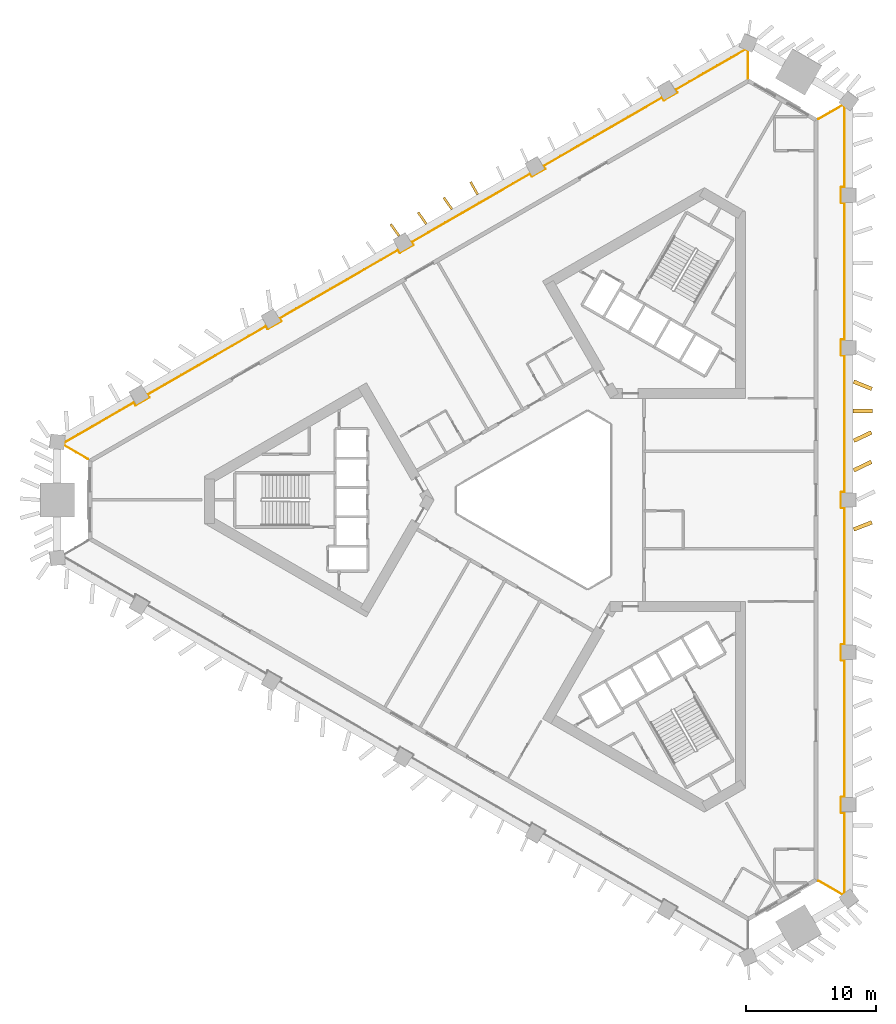
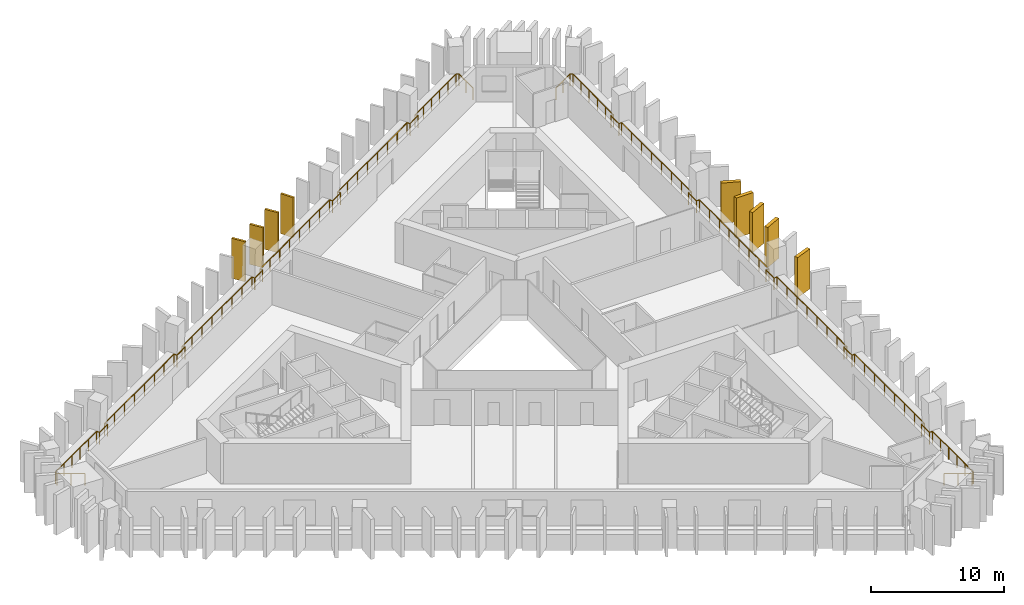
# One storey, part 10 of 11: 9 shading devices, 2 railings.
"""IFC4 building model written with IfcOpenShell, lengths in metres."""

import ifcopenshell
import ifcopenshell.guid

model = None  # the IFC model being written
_history = None  # IfcOwnerHistory: only IFC2X3 demands one
_inside = {}  # id of a spatial element -> (the spatial element, [elements in it])
_under = {}  # id of a project, library or spatial element -> (it, [spatial elements below it])
_declared = {}  # id of a project -> (the project, [libraries it declares])
_typed = {}  # id of a type object -> (the type object, [elements of that type])
_made_of = {}  # id of a material, layer set ... -> (it, [elements and type objects made of it])


def new_model(schema):
    """Start an empty IFC model of exactly this schema.

    Asked for "IFC4X3", IfcOpenShell would pick the latest addendum, in which some entities
    have other attributes; the version numbers below select the first issue.
    IFC2X3 requires an IfcOwnerHistory on every rooted entity: one is made here for all.
    """
    global model, _history
    if schema == "IFC4X3":
        model = ifcopenshell.file(schema_version=(4, 3, 0, 0))
    else:
        model = ifcopenshell.file(schema=schema)
    _inside.clear()
    _under.clear()
    _declared.clear()
    _typed.clear()
    _made_of.clear()
    _history = None
    if model.schema == "IFC2X3":
        org = make("IfcOrganization", Name="unknown")
        user = make(
            "IfcPersonAndOrganization",
            ThePerson=make("IfcPerson", FamilyName="unknown"),
            TheOrganization=org,
        )
        app = make(
            "IfcApplication",
            ApplicationDeveloper=org,
            Version="unknown",
            ApplicationFullName="unknown",
            ApplicationIdentifier="unknown",
        )
        _history = make(
            "IfcOwnerHistory",
            OwningUser=user,
            OwningApplication=app,
            ChangeAction="ADDED",
            CreationDate=0,
        )
    return model


def make(cls, **values):
    """One entity of the class cls with the attributes given. An attribute that is None is left unset."""
    return model.create_entity(
        cls, **{name: value for name, value in values.items() if value is not None}
    )


def rooted(cls, **values):
    """An entity with a GlobalId (a new one), such as an element, a storey or a relation."""
    return make(cls, GlobalId=ifcopenshell.guid.new(), OwnerHistory=_history, **values)


def si_unit(unit_type, name, prefix=None):
    """IfcSIUnit, for example si_unit("LENGTHUNIT", "METRE", prefix="MILLI")."""
    return make("IfcSIUnit", UnitType=unit_type, Prefix=prefix, Name=name)


def assignment(units):
    """IfcUnitAssignment: the units of a project."""
    return None if units is None else make("IfcUnitAssignment", Units=units)


def point(xyz):
    """IfcCartesianPoint."""
    return None if xyz is None else make("IfcCartesianPoint", Coordinates=xyz)


def direction(xyz):
    """IfcDirection."""
    return None if xyz is None else make("IfcDirection", DirectionRatios=xyz)


def frame(location, z_axis=None, x_axis=None):
    """IfcAxis2Placement3D, a coordinate frame: its origin and axes. An axis left out is left unset."""
    return make(
        "IfcAxis2Placement3D",
        Location=point(location),
        Axis=direction(z_axis),
        RefDirection=direction(x_axis),
    )


def frame_2d(location, x_axis=None):
    """IfcAxis2Placement2D, a coordinate frame in the plane: its origin and x axis."""
    return make(
        "IfcAxis2Placement2D", Location=point(location), RefDirection=direction(x_axis)
    )


def origin():
    """The frame at (0, 0, 0) with its axes left unset."""
    return frame((0.0, 0.0, 0.0))


def origin_2d():
    """The frame at (0, 0) in the plane with its x axis left unset."""
    return frame_2d((0.0, 0.0))


def place(relative_to, where):
    """IfcLocalPlacement: puts the frame where relative to a parent placement (None: the world)."""
    return make(
        "IfcLocalPlacement", PlacementRelTo=relative_to, RelativePlacement=where
    )


def context(
    kind, dimensions, precision=None, world=None, true_north=None, identifier=None
):
    """IfcGeometricRepresentationContext, for example the 3D "Model" context."""
    return make(
        "IfcGeometricRepresentationContext",
        ContextIdentifier=identifier,
        ContextType=kind,
        CoordinateSpaceDimension=dimensions,
        Precision=precision,
        WorldCoordinateSystem=world,
        TrueNorth=true_north,
    )


def subcontext(parent, identifier, kind, view, scale=None):
    """IfcGeometricRepresentationSubContext, for example "Body" below "Model"."""
    return make(
        "IfcGeometricRepresentationSubContext",
        ContextIdentifier=identifier,
        ContextType=kind,
        ParentContext=parent,
        TargetScale=scale,
        TargetView=view,
    )


def project(units=None, contexts=None):
    """IfcProject with its units and contexts."""
    return rooted(
        "IfcProject",
        Name="project",
        RepresentationContexts=contexts,
        UnitsInContext=assignment(units),
    )


def spatial(cls, under=None, at=None, **own):
    """A site, building, storey or space (cls), placed at a placement, below another one or the project."""
    s = rooted(cls, ObjectPlacement=at, **own)
    if under is not None:
        _under.setdefault(under.id(), (under, []))[1].append(s)
    return s


def profile(cls, at=None, kind="AREA", **sizes):
    """A parametric profile (cls). Its sizes go by their IFC names, for example OverallWidth=200.0."""
    return make(cls, ProfileType=kind, Position=at, **sizes)


def rectangle(**sizes):
    """IfcRectangleProfileDef."""
    return profile("IfcRectangleProfileDef", **sizes)


def circle(**sizes):
    """IfcCircleProfileDef."""
    return profile("IfcCircleProfileDef", **sizes)


def extrude(swept, where, along, depth):
    """IfcExtrudedAreaSolid: the profile swept, set in the frame where, extruded along a direction by depth."""
    return make(
        "IfcExtrudedAreaSolid",
        SweptArea=swept,
        Position=where,
        ExtrudedDirection=direction(along),
        Depth=depth,
    )


def shape(context_of_items, identifier, shape_type, items):
    """IfcShapeRepresentation: the items that make up one representation, for example the "Body"."""
    return make(
        "IfcShapeRepresentation",
        ContextOfItems=context_of_items,
        RepresentationIdentifier=identifier,
        RepresentationType=shape_type,
        Items=items,
    )


def material(Name=None, Category=None):
    """IfcMaterial."""
    return make("IfcMaterial", Name=Name, Category=Category)


def layer(
    of_material, thickness, ventilated=None, Name=None, Category=None, Priority=None
):
    """IfcMaterialLayer: one layer of a wall or slab, of a material (None: an air gap)."""
    return make(
        "IfcMaterialLayer",
        Material=of_material,
        LayerThickness=thickness,
        IsVentilated=ventilated,
        Name=Name,
        Category=Category,
        Priority=Priority,
    )


def layer_set(layers, Name=None):
    """IfcMaterialLayerSet."""
    return make("IfcMaterialLayerSet", MaterialLayers=layers, LayerSetName=Name)


def made_of(thing, what):
    """Note that an element or type object is made of a material, layer set ...; save() writes the relation."""
    if what is not None:
        _made_of.setdefault(what.id(), (what, []))[1].append(thing)
    return thing


def type_object(cls, material=None, **own):
    """A type object (cls), such as IfcWallType, which elements share."""
    return made_of(rooted(cls, **own), material)


def element(
    cls,
    number,
    at=None,
    inside=None,
    cuts=None,
    type_object=None,
    material=None,
    context=None,
    identifier="Body",
    shape_type=None,
    held_by="IfcProductDefinitionShape",
    body=None,
    shapes=None,
    **own,
):
    """One element of the class cls, such as IfcWall. Its Tag is "e" and its number.

    at: its placement. inside: the storey or other place that contains it. cuts: it is an
    opening in that element (IfcRelVoidsElement). A single representation is given by context,
    identifier, shape_type and body (its items); several are given by shapes. held_by: the class
    of the entity that holds the representations. save() writes the other relations.
    """
    e = rooted(cls, Tag="e%d" % number, ObjectPlacement=at, **own)
    if body is not None:
        shapes = [shape(context, identifier, shape_type, body)]
    if shapes is not None:
        e.Representation = make(held_by, Representations=shapes)
    if inside is not None:
        _inside.setdefault(inside.id(), (inside, []))[1].append(e)
    if cuts is not None:
        rooted(
            "IfcRelVoidsElement", RelatingBuildingElement=cuts, RelatedOpeningElement=e
        )
    if type_object is not None:
        _typed.setdefault(type_object.id(), (type_object, []))[1].append(e)
    return made_of(e, material)


def aggregate(whole, parts):
    """IfcRelAggregates: a whole, such as a stair, and the parts it consists of."""
    return rooted("IfcRelAggregates", RelatingObject=whole, RelatedObjects=parts)


def save(model, path):
    """Write the relations noted so far, then the file.

    IfcRelAggregates (storeys below a building ...), IfcRelContainedInSpatialStructure (elements
    in a storey), IfcRelDefinesByType, IfcRelAssociatesMaterial and IfcRelDeclares: one each for
    every whole, place, type object, material and project.
    """
    for whole, parts in _under.values():
        aggregate(whole, parts)
    for where, things in _inside.values():
        rooted(
            "IfcRelContainedInSpatialStructure",
            RelatedElements=things,
            RelatingStructure=where,
        )
    for kind, things in _typed.values():
        rooted("IfcRelDefinesByType", RelatedObjects=things, RelatingType=kind)
    for what, things in _made_of.values():
        rooted("IfcRelAssociatesMaterial", RelatedObjects=things, RelatingMaterial=what)
    for by, libraries in _declared.values():
        rooted("IfcRelDeclares", RelatingContext=by, RelatedDefinitions=libraries)
    model.write(path)


model = new_model("IFC4")

# Units and contexts
model_context = context("Model", 3, precision=1e-05, world=origin(), true_north=direction((0.0, 1.0)))
body_context = subcontext(model_context, "Body", "Model", "MODEL_VIEW")
ifc_project = project(units=[si_unit("LENGTHUNIT", "METRE"), si_unit("AREAUNIT", "SQUARE_METRE"), si_unit("VOLUMEUNIT", "CUBIC_METRE"), si_unit("PLANEANGLEUNIT", "RADIAN"), si_unit("MASSUNIT", "GRAM", prefix="KILO")], contexts=[model_context])

# Site, building, storey
site_placement = place(None, origin())
site = spatial("IfcSite", under=ifc_project, at=site_placement, CompositionType="ELEMENT")
building_placement = place(site_placement, origin())
building = spatial("IfcBuilding", under=site, at=building_placement, Name="Jabali Bay Hotel Tower and Convention Centre", CompositionType="ELEMENT")
storey_placement = place(building_placement, frame((0.0, 0.0, 90.60009765625)))
storey = spatial("IfcBuildingStorey", under=building, at=storey_placement, Name="L21", CompositionType="ELEMENT", Elevation=90.60009765625)

# Railings
ifc_material_1 = material(Name="Glass", Category="glass")
railing_type = type_object("IfcRailingType", Name="Loggia glass guard 1100", PredefinedType="BALUSTRADE", material=ifc_material_1)
railing_1_placement = place(storey_placement, frame((95.4765625, 109.21142578125, 0.0)))
element("IfcRailing", 1, at=railing_1_placement, inside=storey, type_object=railing_type, Name="Loggia glass guard L21", PredefinedType="BALUSTRADE", context=body_context, shape_type="SweptSolid", body=[
    extrude(circle(Radius=0.02490234375, at=origin_2d()), frame((0.0, 0.0, 1.0751953125), z_axis=(0.866006443985, 0.500032837899, 0.0), x_axis=(-0.495754987653, 0.858597638805, 0.13052619222)), (0.0, 0.0, 1.0), 2.110595703125),
    extrude(circle(Radius=0.02490234375, at=origin_2d()), frame((1.827880859375, 1.055419921875, 1.0751953125), z_axis=(0.801498175172, -0.597997220057, 0.0), x_axis=(0.592881270942, 0.794641247175, 0.13052619222)), (0.0, 0.0, 1.0), 0.21484375),
    extrude(circle(Radius=0.02490234375, at=origin_2d()), frame((2.0, 0.927001953125, 1.0751953125), z_axis=(0.0, -1.0, 0.0), x_axis=(0.991444861374, 0.0, 0.13052619222)), (0.0, 0.0, 1.0), 6.15087890625),
    extrude(circle(Radius=0.02490234375, at=origin_2d()), frame((2.0, -5.223876953125, 1.0751953125), z_axis=(-1.0, 0.0, 0.0), x_axis=(0.0, -0.991444861374, 0.13052619222)), (0.0, 0.0, 1.0), 0.25),
    extrude(circle(Radius=0.02490234375, at=origin_2d()), frame((1.75, -5.223876953125, 1.0751953125), z_axis=(0.0, -1.0, 0.0), x_axis=(0.991444861374, 0.0, 0.13052619222)), (0.0, 0.0, 1.0), 1.199951171875),
    extrude(circle(Radius=0.02490234375, at=origin_2d()), frame((1.75, -6.423828125, 1.0751953125), z_axis=(1.0, 0.0, 0.0), x_axis=(0.0, 0.991444861374, 0.13052619222)), (0.0, 0.0, 1.0), 0.25),
    extrude(circle(Radius=0.02490234375, at=origin_2d()), frame((2.0, -6.423828125, 1.0751953125), z_axis=(0.0, -1.0, 0.0), x_axis=(0.991444861374, 0.0, 0.13052619222)), (0.0, 0.0, 1.0), 10.493896484375),
    extrude(circle(Radius=0.02490234375, at=origin_2d()), frame((2.0, -16.917724609375, 1.0751953125), z_axis=(-1.0, 0.0, 0.0), x_axis=(0.0, -0.991444861374, 0.13052619222)), (0.0, 0.0, 1.0), 0.25),
    extrude(circle(Radius=0.02490234375, at=origin_2d()), frame((1.75, -16.917724609375, 1.0751953125), z_axis=(0.0, -1.0, 0.0), x_axis=(0.991444861374, 0.0, 0.13052619222)), (0.0, 0.0, 1.0), 1.199951171875),
    extrude(circle(Radius=0.02490234375, at=origin_2d()), frame((1.75, -18.11767578125, 1.0751953125), z_axis=(1.0, 0.0, 0.0), x_axis=(0.0, 0.991444861374, 0.13052619222)), (0.0, 0.0, 1.0), 0.25),
    extrude(circle(Radius=0.02490234375, at=origin_2d()), frame((2.0, -18.11767578125, 1.0751953125), z_axis=(0.0, -1.0, 0.0), x_axis=(0.991444861374, 0.0, 0.13052619222)), (0.0, 0.0, 1.0), 10.49365234375),
    extrude(circle(Radius=0.02490234375, at=origin_2d()), frame((2.0, -28.611328125, 1.0751953125), z_axis=(-1.0, 0.0, 0.0), x_axis=(0.0, -0.991444861374, 0.13052619222)), (0.0, 0.0, 1.0), 0.25),
    extrude(circle(Radius=0.02490234375, at=origin_2d()), frame((1.75, -28.611328125, 1.0751953125), z_axis=(0.0, -1.0, 0.0), x_axis=(0.991444861374, 0.0, 0.13052619222)), (0.0, 0.0, 1.0), 1.2001953125),
    extrude(circle(Radius=0.02490234375, at=origin_2d()), frame((1.75, -29.8115234375, 1.0751953125), z_axis=(1.0, 0.0, 0.0), x_axis=(0.0, 0.991444861374, 0.13052619222)), (0.0, 0.0, 1.0), 0.25),
    extrude(circle(Radius=0.02490234375, at=origin_2d()), frame((2.0, -29.8115234375, 1.0751953125), z_axis=(0.0, -1.0, 0.0), x_axis=(0.991444861374, 0.0, 0.13052619222)), (0.0, 0.0, 1.0), 10.49365234375),
    extrude(circle(Radius=0.02490234375, at=origin_2d()), frame((2.0, -40.30517578125, 1.0751953125), z_axis=(-1.0, 0.0, 0.0), x_axis=(0.0, -0.991444861374, 0.13052619222)), (0.0, 0.0, 1.0), 0.25),
    extrude(circle(Radius=0.02490234375, at=origin_2d()), frame((1.75, -40.30517578125, 1.0751953125), z_axis=(0.0, -1.0, 0.0), x_axis=(0.991444861374, 0.0, 0.13052619222)), (0.0, 0.0, 1.0), 1.199951171875),
    extrude(circle(Radius=0.02490234375, at=origin_2d()), frame((1.75, -41.505126953125, 1.0751953125), z_axis=(1.0, 0.0, 0.0), x_axis=(0.0, 0.991444861374, 0.13052619222)), (0.0, 0.0, 1.0), 0.25),
    extrude(circle(Radius=0.02490234375, at=origin_2d()), frame((2.0, -41.505126953125, 1.0751953125), z_axis=(0.0, -1.0, 0.0), x_axis=(0.991444861374, 0.0, 0.13052619222)), (0.0, 0.0, 1.0), 10.493896484375),
    extrude(circle(Radius=0.02490234375, at=origin_2d()), frame((2.0, -51.9990234375, 1.0751953125), z_axis=(-1.0, 0.0, 0.0), x_axis=(0.0, -0.991444861374, 0.13052619222)), (0.0, 0.0, 1.0), 0.25),
    extrude(circle(Radius=0.02490234375, at=origin_2d()), frame((1.75, -51.9990234375, 1.0751953125), z_axis=(0.0, -1.0, 0.0), x_axis=(0.991444861374, 0.0, 0.13052619222)), (0.0, 0.0, 1.0), 1.199951171875),
    extrude(circle(Radius=0.02490234375, at=origin_2d()), frame((1.75, -53.198974609375, 1.0751953125), z_axis=(1.0, 0.0, 0.0), x_axis=(0.0, 0.991444861374, 0.13052619222)), (0.0, 0.0, 1.0), 0.25),
    extrude(circle(Radius=0.02490234375, at=origin_2d()), frame((2.0, -53.198974609375, 1.0751953125), z_axis=(0.0, -1.0, 0.0), x_axis=(0.991444861374, 0.0, 0.13052619222)), (0.0, 0.0, 1.0), 6.15087890625),
    extrude(circle(Radius=0.02490234375, at=origin_2d()), frame((2.0, -59.349853515625, 1.0751953125), z_axis=(-0.801498175172, -0.597997220057, 0.0), x_axis=(0.592881270942, -0.794641247175, 0.13052619222)), (0.0, 0.0, 1.0), 0.21484375),
    extrude(circle(Radius=0.02490234375, at=origin_2d()), frame((1.827880859375, -59.478271484375, 1.0751953125), z_axis=(-0.866006443985, 0.500032837899, 0.0), x_axis=(-0.495754987653, -0.858597638805, 0.13052619222)), (0.0, 0.0, 1.0), 2.110595703125),
    extrude(circle(Radius=0.02001953125, at=origin_2d()), origin(), (0.0, 0.0, 1.0), 1.050048828125),
    extrude(circle(Radius=0.02001953125, at=origin_2d()), frame((0.9140625, 0.52783203125, 0.0)), (0.0, 0.0, 1.0), 1.050048828125),
    extrude(circle(Radius=0.02001953125, at=origin_2d()), frame((1.827880859375, 1.055419921875, 0.0)), (0.0, 0.0, 1.0), 1.050048828125),
    extrude(circle(Radius=0.02001953125, at=origin_2d()), frame((2.0, 0.927001953125, 0.0)), (0.0, 0.0, 1.0), 1.050048828125),
    extrude(circle(Radius=0.02001953125, at=origin_2d()), frame((2.0, -0.30322265625, 0.0)), (0.0, 0.0, 1.0), 1.050048828125),
    extrude(circle(Radius=0.02001953125, at=origin_2d()), frame((2.0, -1.533447265625, 0.0)), (0.0, 0.0, 1.0), 1.050048828125),
    extrude(circle(Radius=0.02001953125, at=origin_2d()), frame((2.0, -2.763427734375, 0.0)), (0.0, 0.0, 1.0), 1.050048828125),
    extrude(circle(Radius=0.02001953125, at=origin_2d()), frame((2.0, -3.99365234375, 0.0)), (0.0, 0.0, 1.0), 1.050048828125),
    extrude(circle(Radius=0.02001953125, at=origin_2d()), frame((2.0, -5.223876953125, 0.0)), (0.0, 0.0, 1.0), 1.050048828125),
    extrude(circle(Radius=0.02001953125, at=origin_2d()), frame((1.75, -5.223876953125, 0.0)), (0.0, 0.0, 1.0), 1.050048828125),
    extrude(circle(Radius=0.02001953125, at=origin_2d()), frame((1.75, -6.423828125, 0.0)), (0.0, 0.0, 1.0), 1.050048828125),
    extrude(circle(Radius=0.02001953125, at=origin_2d()), frame((2.0, -6.423828125, 0.0)), (0.0, 0.0, 1.0), 1.050048828125),
    extrude(circle(Radius=0.02001953125, at=origin_2d()), frame((2.0, -7.9228515625, 0.0)), (0.0, 0.0, 1.0), 1.050048828125),
    extrude(circle(Radius=0.02001953125, at=origin_2d()), frame((2.0, -9.422119140625, 0.0)), (0.0, 0.0, 1.0), 1.050048828125),
    extrude(circle(Radius=0.02001953125, at=origin_2d()), frame((2.0, -10.921142578125, 0.0)), (0.0, 0.0, 1.0), 1.050048828125),
    extrude(circle(Radius=0.02001953125, at=origin_2d()), frame((2.0, -12.42041015625, 0.0)), (0.0, 0.0, 1.0), 1.050048828125),
    extrude(circle(Radius=0.02001953125, at=origin_2d()), frame((2.0, -13.91943359375, 0.0)), (0.0, 0.0, 1.0), 1.050048828125),
    extrude(circle(Radius=0.02001953125, at=origin_2d()), frame((2.0, -15.418701171875, 0.0)), (0.0, 0.0, 1.0), 1.050048828125),
    extrude(circle(Radius=0.02001953125, at=origin_2d()), frame((2.0, -16.917724609375, 0.0)), (0.0, 0.0, 1.0), 1.050048828125),
    extrude(circle(Radius=0.02001953125, at=origin_2d()), frame((1.75, -16.917724609375, 0.0)), (0.0, 0.0, 1.0), 1.050048828125),
    extrude(circle(Radius=0.02001953125, at=origin_2d()), frame((1.75, -18.11767578125, 0.0)), (0.0, 0.0, 1.0), 1.050048828125),
    extrude(circle(Radius=0.02001953125, at=origin_2d()), frame((2.0, -18.11767578125, 0.0)), (0.0, 0.0, 1.0), 1.050048828125),
    extrude(circle(Radius=0.02001953125, at=origin_2d()), frame((2.0, -19.61669921875, 0.0)), (0.0, 0.0, 1.0), 1.050048828125),
    extrude(circle(Radius=0.02001953125, at=origin_2d()), frame((2.0, -21.115966796875, 0.0)), (0.0, 0.0, 1.0), 1.050048828125),
    extrude(circle(Radius=0.02001953125, at=origin_2d()), frame((2.0, -22.614990234375, 0.0)), (0.0, 0.0, 1.0), 1.050048828125),
    extrude(circle(Radius=0.02001953125, at=origin_2d()), frame((2.0, -24.114013671875, 0.0)), (0.0, 0.0, 1.0), 1.050048828125),
    extrude(circle(Radius=0.02001953125, at=origin_2d()), frame((2.0, -25.613037109375, 0.0)), (0.0, 0.0, 1.0), 1.050048828125),
    extrude(circle(Radius=0.02001953125, at=origin_2d()), frame((2.0, -27.1123046875, 0.0)), (0.0, 0.0, 1.0), 1.050048828125),
    extrude(circle(Radius=0.02001953125, at=origin_2d()), frame((2.0, -28.611328125, 0.0)), (0.0, 0.0, 1.0), 1.050048828125),
    extrude(circle(Radius=0.02001953125, at=origin_2d()), frame((1.75, -28.611328125, 0.0)), (0.0, 0.0, 1.0), 1.050048828125),
    extrude(circle(Radius=0.02001953125, at=origin_2d()), frame((1.75, -29.8115234375, 0.0)), (0.0, 0.0, 1.0), 1.050048828125),
    extrude(circle(Radius=0.02001953125, at=origin_2d()), frame((2.0, -29.8115234375, 0.0)), (0.0, 0.0, 1.0), 1.050048828125),
    extrude(circle(Radius=0.02001953125, at=origin_2d()), frame((2.0, -31.310546875, 0.0)), (0.0, 0.0, 1.0), 1.050048828125),
    extrude(circle(Radius=0.02001953125, at=origin_2d()), frame((2.0, -32.809814453125, 0.0)), (0.0, 0.0, 1.0), 1.050048828125),
    extrude(circle(Radius=0.02001953125, at=origin_2d()), frame((2.0, -34.308837890625, 0.0)), (0.0, 0.0, 1.0), 1.050048828125),
    extrude(circle(Radius=0.02001953125, at=origin_2d()), frame((2.0, -35.807861328125, 0.0)), (0.0, 0.0, 1.0), 1.050048828125),
    extrude(circle(Radius=0.02001953125, at=origin_2d()), frame((2.0, -37.306884765625, 0.0)), (0.0, 0.0, 1.0), 1.050048828125),
    extrude(circle(Radius=0.02001953125, at=origin_2d()), frame((2.0, -38.80615234375, 0.0)), (0.0, 0.0, 1.0), 1.050048828125),
    extrude(circle(Radius=0.02001953125, at=origin_2d()), frame((2.0, -40.30517578125, 0.0)), (0.0, 0.0, 1.0), 1.050048828125),
    extrude(circle(Radius=0.02001953125, at=origin_2d()), frame((1.75, -40.30517578125, 0.0)), (0.0, 0.0, 1.0), 1.050048828125),
    extrude(circle(Radius=0.02001953125, at=origin_2d()), frame((1.75, -41.505126953125, 0.0)), (0.0, 0.0, 1.0), 1.050048828125),
    extrude(circle(Radius=0.02001953125, at=origin_2d()), frame((2.0, -41.505126953125, 0.0)), (0.0, 0.0, 1.0), 1.050048828125),
    extrude(circle(Radius=0.02001953125, at=origin_2d()), frame((2.0, -43.004150390625, 0.0)), (0.0, 0.0, 1.0), 1.050048828125),
    extrude(circle(Radius=0.02001953125, at=origin_2d()), frame((2.0, -44.50341796875, 0.0)), (0.0, 0.0, 1.0), 1.050048828125),
    extrude(circle(Radius=0.02001953125, at=origin_2d()), frame((2.0, -46.00244140625, 0.0)), (0.0, 0.0, 1.0), 1.050048828125),
    extrude(circle(Radius=0.02001953125, at=origin_2d()), frame((2.0, -47.501708984375, 0.0)), (0.0, 0.0, 1.0), 1.050048828125),
    extrude(circle(Radius=0.02001953125, at=origin_2d()), frame((2.0, -49.000732421875, 0.0)), (0.0, 0.0, 1.0), 1.050048828125),
    extrude(circle(Radius=0.02001953125, at=origin_2d()), frame((2.0, -50.5, 0.0)), (0.0, 0.0, 1.0), 1.050048828125),
    extrude(circle(Radius=0.02001953125, at=origin_2d()), frame((2.0, -51.9990234375, 0.0)), (0.0, 0.0, 1.0), 1.050048828125),
    extrude(circle(Radius=0.02001953125, at=origin_2d()), frame((1.75, -51.9990234375, 0.0)), (0.0, 0.0, 1.0), 1.050048828125),
    extrude(circle(Radius=0.02001953125, at=origin_2d()), frame((1.75, -53.198974609375, 0.0)), (0.0, 0.0, 1.0), 1.050048828125),
    extrude(circle(Radius=0.02001953125, at=origin_2d()), frame((2.0, -53.198974609375, 0.0)), (0.0, 0.0, 1.0), 1.050048828125),
    extrude(circle(Radius=0.02001953125, at=origin_2d()), frame((2.0, -54.42919921875, 0.0)), (0.0, 0.0, 1.0), 1.050048828125),
    extrude(circle(Radius=0.02001953125, at=origin_2d()), frame((2.0, -55.659423828125, 0.0)), (0.0, 0.0, 1.0), 1.050048828125),
    extrude(circle(Radius=0.02001953125, at=origin_2d()), frame((2.0, -56.889404296875, 0.0)), (0.0, 0.0, 1.0), 1.050048828125),
    extrude(circle(Radius=0.02001953125, at=origin_2d()), frame((2.0, -58.11962890625, 0.0)), (0.0, 0.0, 1.0), 1.050048828125),
    extrude(circle(Radius=0.02001953125, at=origin_2d()), frame((2.0, -59.349853515625, 0.0)), (0.0, 0.0, 1.0), 1.050048828125),
    extrude(circle(Radius=0.02001953125, at=origin_2d()), frame((1.827880859375, -59.478271484375, 0.0)), (0.0, 0.0, 1.0), 1.050048828125),
    extrude(circle(Radius=0.02001953125, at=origin_2d()), frame((0.9140625, -58.95068359375, 0.0)), (0.0, 0.0, 1.0), 1.050048828125),
    extrude(circle(Radius=0.02001953125, at=origin_2d()), frame((0.0, -58.4228515625, 0.0)), (0.0, 0.0, 1.0), 1.050048828125),
])
railing_2_placement = place(storey_placement, frame((39.4638671875, 83.12744140625, 0.0)))
element("IfcRailing", 2, at=railing_2_placement, inside=storey, type_object=railing_type, Name="Loggia glass guard L21", PredefinedType="BALUSTRADE", context=body_context, shape_type="SweptSolid", body=[
    extrude(circle(Radius=0.02490234375, at=origin_2d()), frame((0.0, 0.0, 1.0751953125), z_axis=(-0.866006443985, 0.500032837899, 0.0), x_axis=(-0.495754987653, -0.858597638805, 0.13052619222)), (0.0, 0.0, 1.0), 2.110595703125),
    extrude(circle(Radius=0.02490234375, at=origin_2d()), frame((-1.827880859375, 1.055419921875, 1.0751953125), z_axis=(0.117171257249, 0.993111724065, 0.0), x_axis=(-0.984615515594, 0.116168840901, 0.13052619222)), (0.0, 0.0, 1.0), 0.214599609375),
    extrude(circle(Radius=0.02490234375, at=origin_2d()), frame((-1.802734375, 1.2685546875, 1.0751953125), z_axis=(0.866019012934, 0.500011069114, 0.0), x_axis=(-0.495733405103, 0.858610100226, 0.13052619222)), (0.0, 0.0, 1.0), 6.150634765625),
    extrude(circle(Radius=0.02490234375, at=origin_2d()), frame((3.52392578125, 4.343994140625, 1.0751953125), z_axis=(0.499919672301, -0.866071776036, 0.0), x_axis=(0.858662411932, 0.495642790202, 0.13052619222)), (0.0, 0.0, 1.0), 0.25),
    extrude(circle(Radius=0.02490234375, at=origin_2d()), frame((3.64892578125, 4.12744140625, 1.0751953125), z_axis=(0.866006032174, 0.500033551112, 0.0), x_axis=(-0.495755694765, 0.858597230518, 0.13052619222)), (0.0, 0.0, 1.0), 1.2001953125),
    extrude(circle(Radius=0.02490234375, at=origin_2d()), frame((4.688232421875, 4.7275390625, 1.0751953125), z_axis=(-0.499919672301, 0.866071776036, 0.0), x_axis=(-0.858662411932, -0.495642790202, 0.13052619222)), (0.0, 0.0, 1.0), 0.25),
    extrude(circle(Radius=0.02490234375, at=origin_2d()), frame((4.563232421875, 4.944091796875, 1.0751953125), z_axis=(0.86602828922, 0.499995002246, 0.0), x_axis=(-0.49571747569, 0.858619297151, 0.13052619222)), (0.0, 0.0, 1.0), 10.49365234375),
    extrude(circle(Radius=0.02490234375, at=origin_2d()), frame((13.651123046875, 10.19091796875, 1.0751953125), z_axis=(0.499919672301, -0.866071776036, 0.0), x_axis=(0.858662411932, 0.495642790202, 0.13052619222)), (0.0, 0.0, 1.0), 0.25),
    extrude(circle(Radius=0.02490234375, at=origin_2d()), frame((13.776123046875, 9.974365234375, 1.0751953125), z_axis=(0.866006032174, 0.500033551112, 0.0), x_axis=(-0.495755694765, 0.858597230518, 0.13052619222)), (0.0, 0.0, 1.0), 1.2001953125),
    extrude(circle(Radius=0.02490234375, at=origin_2d()), frame((14.8154296875, 10.574462890625, 1.0751953125), z_axis=(-0.499919672301, 0.866071776036, 0.0), x_axis=(-0.858662411932, -0.495642790202, 0.13052619222)), (0.0, 0.0, 1.0), 0.25),
    extrude(circle(Radius=0.02490234375, at=origin_2d()), frame((14.6904296875, 10.791015625, 1.0751953125), z_axis=(0.86602828922, 0.499995002246, 0.0), x_axis=(-0.49571747569, 0.858619297151, 0.13052619222)), (0.0, 0.0, 1.0), 10.49365234375),
    extrude(circle(Radius=0.02490234375, at=origin_2d()), frame((23.7783203125, 16.037841796875, 1.0751953125), z_axis=(0.499919672301, -0.866071776036, 0.0), x_axis=(0.858662411932, 0.495642790202, 0.13052619222)), (0.0, 0.0, 1.0), 0.25),
    extrude(circle(Radius=0.02490234375, at=origin_2d()), frame((23.9033203125, 15.8212890625, 1.0751953125), z_axis=(0.865955154139, 0.50012165622, 0.0), x_axis=(-0.495843046121, 0.858546787751, 0.13052619222)), (0.0, 0.0, 1.0), 1.199951171875),
    extrude(circle(Radius=0.02490234375, at=origin_2d()), frame((24.9423828125, 16.42138671875, 1.0751953125), z_axis=(-0.499919672301, 0.866071776036, 0.0), x_axis=(-0.858662411932, -0.495642790202, 0.13052619222)), (0.0, 0.0, 1.0), 0.25),
    extrude(circle(Radius=0.02490234375, at=origin_2d()), frame((24.8173828125, 16.637939453125, 1.0751953125), z_axis=(0.86602828922, 0.499995002246, 0.0), x_axis=(-0.49571747569, 0.858619297151, 0.13052619222)), (0.0, 0.0, 1.0), 10.49365234375),
    extrude(circle(Radius=0.02490234375, at=origin_2d()), frame((33.9052734375, 21.884765625, 1.0751953125), z_axis=(0.499919672301, -0.866071776036, 0.0), x_axis=(0.858662411932, 0.495642790202, 0.13052619222)), (0.0, 0.0, 1.0), 0.25),
    extrude(circle(Radius=0.02490234375, at=origin_2d()), frame((34.0302734375, 21.668212890625, 1.0751953125), z_axis=(0.866006032174, 0.500033551112, 0.0), x_axis=(-0.495755694765, 0.858597230518, 0.13052619222)), (0.0, 0.0, 1.0), 1.2001953125),
    extrude(circle(Radius=0.02490234375, at=origin_2d()), frame((35.069580078125, 22.268310546875, 1.0751953125), z_axis=(-0.500342721131, 0.865827443207, 0.0), x_axis=(-0.858420169404, -0.496062219791, 0.13052619222)), (0.0, 0.0, 1.0), 0.249755859375),
    extrude(circle(Radius=0.02490234375, at=origin_2d()), frame((34.944580078125, 22.484619140625, 1.0751953125), z_axis=(0.866018215049, 0.500012451049, 0.0), x_axis=(-0.495734775215, 0.858609309166, 0.13052619222)), (0.0, 0.0, 1.0), 10.493896484375),
    extrude(circle(Radius=0.02490234375, at=origin_2d()), frame((44.032470703125, 27.731689453125, 1.0751953125), z_axis=(0.499919672301, -0.866071776036, 0.0), x_axis=(0.858662411932, 0.495642790202, 0.13052619222)), (0.0, 0.0, 1.0), 0.25),
    extrude(circle(Radius=0.02490234375, at=origin_2d()), frame((44.157470703125, 27.51513671875, 1.0751953125), z_axis=(0.866094119867, 0.499880961361, 0.0), x_axis=(-0.49560441044, 0.858684564609, 0.13052619222)), (0.0, 0.0, 1.0), 1.199951171875),
    extrude(circle(Radius=0.02490234375, at=origin_2d()), frame((45.19677734375, 28.114990234375, 1.0751953125), z_axis=(-0.499919672301, 0.866071776036, 0.0), x_axis=(-0.858662411932, -0.495642790202, 0.13052619222)), (0.0, 0.0, 1.0), 0.25),
    extrude(circle(Radius=0.02490234375, at=origin_2d()), frame((45.07177734375, 28.33154296875, 1.0751953125), z_axis=(0.866019012934, 0.500011069114, 0.0), x_axis=(-0.495733405103, 0.858610100226, 0.13052619222)), (0.0, 0.0, 1.0), 6.150634765625),
    extrude(circle(Radius=0.02490234375, at=origin_2d()), frame((50.3984375, 31.406982421875, 1.0751953125), z_axis=(0.918850672614, -0.394605424996, 0.0), x_axis=(0.391229520883, 0.910989777733, 0.13052619222)), (0.0, 0.0, 1.0), 0.214599609375),
    extrude(circle(Radius=0.02490234375, at=origin_2d()), frame((50.595703125, 31.322265625, 1.0751953125), z_axis=(0.0, -1.0, 0.0), x_axis=(0.991444861374, 0.0, 0.13052619222)), (0.0, 0.0, 1.0), 2.11083984375),
    extrude(circle(Radius=0.02001953125, at=origin_2d()), origin(), (0.0, 0.0, 1.0), 1.050048828125),
    extrude(circle(Radius=0.02001953125, at=origin_2d()), frame((-0.9140625, 0.52783203125, 0.0)), (0.0, 0.0, 1.0), 1.050048828125),
    extrude(circle(Radius=0.02001953125, at=origin_2d()), frame((-1.827880859375, 1.055419921875, 0.0)), (0.0, 0.0, 1.0), 1.050048828125),
    extrude(circle(Radius=0.02001953125, at=origin_2d()), frame((-1.802734375, 1.2685546875, 0.0)), (0.0, 0.0, 1.0), 1.050048828125),
    extrude(circle(Radius=0.02001953125, at=origin_2d()), frame((-0.7373046875, 1.883544921875, 0.0)), (0.0, 0.0, 1.0), 1.050048828125),
    extrude(circle(Radius=0.02001953125, at=origin_2d()), frame((0.327880859375, 2.498779296875, 0.0)), (0.0, 0.0, 1.0), 1.050048828125),
    extrude(circle(Radius=0.02001953125, at=origin_2d()), frame((1.393310546875, 3.11376953125, 0.0)), (0.0, 0.0, 1.0), 1.050048828125),
    extrude(circle(Radius=0.02001953125, at=origin_2d()), frame((2.45849609375, 3.72900390625, 0.0)), (0.0, 0.0, 1.0), 1.050048828125),
    extrude(circle(Radius=0.02001953125, at=origin_2d()), frame((3.52392578125, 4.343994140625, 0.0)), (0.0, 0.0, 1.0), 1.050048828125),
    extrude(circle(Radius=0.02001953125, at=origin_2d()), frame((3.64892578125, 4.12744140625, 0.0)), (0.0, 0.0, 1.0), 1.050048828125),
    extrude(circle(Radius=0.02001953125, at=origin_2d()), frame((4.688232421875, 4.7275390625, 0.0)), (0.0, 0.0, 1.0), 1.050048828125),
    extrude(circle(Radius=0.02001953125, at=origin_2d()), frame((4.563232421875, 4.944091796875, 0.0)), (0.0, 0.0, 1.0), 1.050048828125),
    extrude(circle(Radius=0.02001953125, at=origin_2d()), frame((5.861572265625, 5.693603515625, 0.0)), (0.0, 0.0, 1.0), 1.050048828125),
    extrude(circle(Radius=0.02001953125, at=origin_2d()), frame((7.15966796875, 6.443115234375, 0.0)), (0.0, 0.0, 1.0), 1.050048828125),
    extrude(circle(Radius=0.02001953125, at=origin_2d()), frame((8.4580078125, 7.192626953125, 0.0)), (0.0, 0.0, 1.0), 1.050048828125),
    extrude(circle(Radius=0.02001953125, at=origin_2d()), frame((9.75634765625, 7.9423828125, 0.0)), (0.0, 0.0, 1.0), 1.050048828125),
    extrude(circle(Radius=0.02001953125, at=origin_2d()), frame((11.0546875, 8.69189453125, 0.0)), (0.0, 0.0, 1.0), 1.050048828125),
    extrude(circle(Radius=0.02001953125, at=origin_2d()), frame((12.352783203125, 9.44140625, 0.0)), (0.0, 0.0, 1.0), 1.050048828125),
    extrude(circle(Radius=0.02001953125, at=origin_2d()), frame((13.651123046875, 10.19091796875, 0.0)), (0.0, 0.0, 1.0), 1.050048828125),
    extrude(circle(Radius=0.02001953125, at=origin_2d()), frame((13.776123046875, 9.974365234375, 0.0)), (0.0, 0.0, 1.0), 1.050048828125),
    extrude(circle(Radius=0.02001953125, at=origin_2d()), frame((14.8154296875, 10.574462890625, 0.0)), (0.0, 0.0, 1.0), 1.050048828125),
    extrude(circle(Radius=0.02001953125, at=origin_2d()), frame((14.6904296875, 10.791015625, 0.0)), (0.0, 0.0, 1.0), 1.050048828125),
    extrude(circle(Radius=0.02001953125, at=origin_2d()), frame((15.98876953125, 11.54052734375, 0.0)), (0.0, 0.0, 1.0), 1.050048828125),
    extrude(circle(Radius=0.02001953125, at=origin_2d()), frame((17.286865234375, 12.2900390625, 0.0)), (0.0, 0.0, 1.0), 1.050048828125),
    extrude(circle(Radius=0.02001953125, at=origin_2d()), frame((18.585205078125, 13.03955078125, 0.0)), (0.0, 0.0, 1.0), 1.050048828125),
    extrude(circle(Radius=0.02001953125, at=origin_2d()), frame((19.883544921875, 13.789306640625, 0.0)), (0.0, 0.0, 1.0), 1.050048828125),
    extrude(circle(Radius=0.02001953125, at=origin_2d()), frame((21.181884765625, 14.538818359375, 0.0)), (0.0, 0.0, 1.0), 1.050048828125),
    extrude(circle(Radius=0.02001953125, at=origin_2d()), frame((22.47998046875, 15.288330078125, 0.0)), (0.0, 0.0, 1.0), 1.050048828125),
    extrude(circle(Radius=0.02001953125, at=origin_2d()), frame((23.7783203125, 16.037841796875, 0.0)), (0.0, 0.0, 1.0), 1.050048828125),
    extrude(circle(Radius=0.02001953125, at=origin_2d()), frame((23.9033203125, 15.8212890625, 0.0)), (0.0, 0.0, 1.0), 1.050048828125),
    extrude(circle(Radius=0.02001953125, at=origin_2d()), frame((24.9423828125, 16.42138671875, 0.0)), (0.0, 0.0, 1.0), 1.050048828125),
    extrude(circle(Radius=0.02001953125, at=origin_2d()), frame((24.8173828125, 16.637939453125, 0.0)), (0.0, 0.0, 1.0), 1.050048828125),
    extrude(circle(Radius=0.02001953125, at=origin_2d()), frame((26.11572265625, 17.387451171875, 0.0)), (0.0, 0.0, 1.0), 1.050048828125),
    extrude(circle(Radius=0.02001953125, at=origin_2d()), frame((27.413818359375, 18.136962890625, 0.0)), (0.0, 0.0, 1.0), 1.050048828125),
    extrude(circle(Radius=0.02001953125, at=origin_2d()), frame((28.712158203125, 18.886474609375, 0.0)), (0.0, 0.0, 1.0), 1.050048828125),
    extrude(circle(Radius=0.02001953125, at=origin_2d()), frame((30.010498046875, 19.63623046875, 0.0)), (0.0, 0.0, 1.0), 1.050048828125),
    extrude(circle(Radius=0.02001953125, at=origin_2d()), frame((31.308837890625, 20.3857421875, 0.0)), (0.0, 0.0, 1.0), 1.050048828125),
    extrude(circle(Radius=0.02001953125, at=origin_2d()), frame((32.60693359375, 21.13525390625, 0.0)), (0.0, 0.0, 1.0), 1.050048828125),
    extrude(circle(Radius=0.02001953125, at=origin_2d()), frame((33.9052734375, 21.884765625, 0.0)), (0.0, 0.0, 1.0), 1.050048828125),
    extrude(circle(Radius=0.02001953125, at=origin_2d()), frame((34.0302734375, 21.668212890625, 0.0)), (0.0, 0.0, 1.0), 1.050048828125),
    extrude(circle(Radius=0.02001953125, at=origin_2d()), frame((35.069580078125, 22.268310546875, 0.0)), (0.0, 0.0, 1.0), 1.050048828125),
    extrude(circle(Radius=0.02001953125, at=origin_2d()), frame((34.944580078125, 22.484619140625, 0.0)), (0.0, 0.0, 1.0), 1.050048828125),
    extrude(circle(Radius=0.02001953125, at=origin_2d()), frame((36.242919921875, 23.234130859375, 0.0)), (0.0, 0.0, 1.0), 1.050048828125),
    extrude(circle(Radius=0.02001953125, at=origin_2d()), frame((37.541015625, 23.98388671875, 0.0)), (0.0, 0.0, 1.0), 1.050048828125),
    extrude(circle(Radius=0.02001953125, at=origin_2d()), frame((38.83935546875, 24.7333984375, 0.0)), (0.0, 0.0, 1.0), 1.050048828125),
    extrude(circle(Radius=0.02001953125, at=origin_2d()), frame((40.1376953125, 25.48291015625, 0.0)), (0.0, 0.0, 1.0), 1.050048828125),
    extrude(circle(Radius=0.02001953125, at=origin_2d()), frame((41.43603515625, 26.232421875, 0.0)), (0.0, 0.0, 1.0), 1.050048828125),
    extrude(circle(Radius=0.02001953125, at=origin_2d()), frame((42.734130859375, 26.982177734375, 0.0)), (0.0, 0.0, 1.0), 1.050048828125),
    extrude(circle(Radius=0.02001953125, at=origin_2d()), frame((44.032470703125, 27.731689453125, 0.0)), (0.0, 0.0, 1.0), 1.050048828125),
    extrude(circle(Radius=0.02001953125, at=origin_2d()), frame((44.157470703125, 27.51513671875, 0.0)), (0.0, 0.0, 1.0), 1.050048828125),
    extrude(circle(Radius=0.02001953125, at=origin_2d()), frame((45.19677734375, 28.114990234375, 0.0)), (0.0, 0.0, 1.0), 1.050048828125),
    extrude(circle(Radius=0.02001953125, at=origin_2d()), frame((45.07177734375, 28.33154296875, 0.0)), (0.0, 0.0, 1.0), 1.050048828125),
    extrude(circle(Radius=0.02001953125, at=origin_2d()), frame((46.13720703125, 28.946533203125, 0.0)), (0.0, 0.0, 1.0), 1.050048828125),
    extrude(circle(Radius=0.02001953125, at=origin_2d()), frame((47.202392578125, 29.561767578125, 0.0)), (0.0, 0.0, 1.0), 1.050048828125),
    extrude(circle(Radius=0.02001953125, at=origin_2d()), frame((48.267822265625, 30.1767578125, 0.0)), (0.0, 0.0, 1.0), 1.050048828125),
    extrude(circle(Radius=0.02001953125, at=origin_2d()), frame((49.3330078125, 30.7919921875, 0.0)), (0.0, 0.0, 1.0), 1.050048828125),
    extrude(circle(Radius=0.02001953125, at=origin_2d()), frame((50.3984375, 31.406982421875, 0.0)), (0.0, 0.0, 1.0), 1.050048828125),
    extrude(circle(Radius=0.02001953125, at=origin_2d()), frame((50.595703125, 31.322265625, 0.0)), (0.0, 0.0, 1.0), 1.050048828125),
    extrude(circle(Radius=0.02001953125, at=origin_2d()), frame((50.595703125, 30.266845703125, 0.0)), (0.0, 0.0, 1.0), 1.050048828125),
    extrude(circle(Radius=0.02001953125, at=origin_2d()), frame((50.595703125, 29.21142578125, 0.0)), (0.0, 0.0, 1.0), 1.050048828125),
])

# Shading devices
ifc_material_2 = material(Name="Precast concrete C60", Category="concrete")
ifc_layer_1 = layer(ifc_material_2, 0.179931640625)
ifc_layer_set_1 = layer_set([ifc_layer_1], Name="Precast concrete C60")
shading_device_type_1 = type_object("IfcShadingDeviceType", Name="Precast fin 3680 x 1100", PredefinedType="USERDEFINED", material=ifc_layer_set_1)
shading_device_1_placement = place(storey_placement, frame((69.333984375, 103.425537109375, 0.010009765625), z_axis=(0.0, 0.0, 1.0), x_axis=(-0.4885425372, 0.872540078934, 0.0)))
element("IfcShadingDevice", 3, at=shading_device_1_placement, inside=storey, type_object=shading_device_type_1, Name="Fin L21 046", ObjectType="FIN", PredefinedType="USERDEFINED", context=body_context, shape_type="SweptSolid", body=[
    extrude(rectangle(XDim=1.099853515625, YDim=0.179931640625, at=frame_2d((0.5498046875, 0.0))), origin(), (0.0, 0.0, 1.0), 3.679931640625),
])
shading_device_2_placement = place(storey_placement, frame((67.36572265625, 102.29736328125, 0.010009765625), z_axis=(0.0, 0.0, 1.0), x_axis=(-0.577284297539, 0.816543225931, 0.0)))
element("IfcShadingDevice", 4, at=shading_device_2_placement, inside=storey, type_object=shading_device_type_1, Name="Fin L21 047", ObjectType="FIN", PredefinedType="USERDEFINED", context=body_context, shape_type="SweptSolid", body=[
    extrude(rectangle(XDim=1.10009765625, YDim=0.179931640625, at=frame_2d((0.550048828125, 0.0))), origin(), (0.0, 0.0, 1.0), 3.679931640625),
])
shading_device_3_placement = place(storey_placement, frame((65.40087890625, 101.1630859375, 0.010009765625), z_axis=(0.0, 0.0, 1.0), x_axis=(-0.578041976706, 0.816007030096, 0.0)))
element("IfcShadingDevice", 5, at=shading_device_3_placement, inside=storey, type_object=shading_device_type_1, Name="Fin L21 048", ObjectType="FIN", PredefinedType="USERDEFINED", context=body_context, shape_type="SweptSolid", body=[
    extrude(rectangle(XDim=1.099853515625, YDim=0.179931640625, at=frame_2d((0.5498046875, 0.0))), origin(), (0.0, 0.0, 1.0), 3.679931640625),
])
shading_device_4_placement = place(storey_placement, frame((63.3076171875, 100.251953125, 0.010009765625), z_axis=(0.0, 0.0, 1.0), x_axis=(-0.580293187584, 0.814407647584, 0.0)))
element("IfcShadingDevice", 6, at=shading_device_4_placement, inside=storey, type_object=shading_device_type_1, Name="Fin L21 049", ObjectType="FIN", PredefinedType="USERDEFINED", context=body_context, shape_type="SweptSolid", body=[
    extrude(rectangle(XDim=1.10009765625, YDim=0.179931640625, at=frame_2d((0.550048828125, 0.0))), origin(), (0.0, 0.0, 1.0), 3.679931640625),
])
ifc_layer_2 = layer(ifc_material_2, 0.300048828125)
ifc_layer_set_2 = layer_set([ifc_layer_2], Name="Precast concrete C60")
shading_device_type_2 = type_object("IfcShadingDeviceType", Name="Precast fin 3680 x 1500", PredefinedType="USERDEFINED", material=ifc_layer_set_2)
shading_device_5_placement = place(storey_placement, frame((98.174072265625, 77.7314453125, 0.010009765625), z_axis=(0.0, 0.0, 1.0), x_axis=(0.930261975977, 0.366895974427, 0.0)))
element("IfcShadingDevice", 7, at=shading_device_5_placement, inside=storey, type_object=shading_device_type_2, Name="Fin L21 012", ObjectType="FIN", PredefinedType="USERDEFINED", context=body_context, shape_type="SweptSolid", body=[
    extrude(rectangle(XDim=1.499755859375, YDim=0.300048828125, at=frame_2d((0.75, 0.0))), origin(), (0.0, 0.0, 1.0), 3.679931640625),
])
for number, where, z_axis, x_axis, name in (
    (8, (98.1845703125, 82.2685546875, 0.010009765625), (0.0, 0.0, 1.0), (0.899129499022, 0.43768269784, 0.0), "Fin L21 014"),
    (9, (98.183349609375, 84.537109375, 0.010009765625), (0.0, 0.0, 1.0), (0.903137108434, 0.429352260236, 0.0), "Fin L21 015"),
):
    element("IfcShadingDevice", number, at=place(storey_placement, frame(where, z_axis=z_axis, x_axis=x_axis)), inside=storey, type_object=shading_device_type_2, Name=name, ObjectType="FIN", PredefinedType="USERDEFINED", context=body_context, shape_type="SweptSolid", body=[
        extrude(rectangle(XDim=1.5, YDim=0.300048828125, at=frame_2d((0.75, 0.0))), origin(), (0.0, 0.0, 1.0), 3.679931640625),
    ])
for number, where, z_axis, x_axis, name in (
    (10, (98.120849609375, 86.8056640625, 0.010009765625), (0.0, 0.0, 1.0), (0.999910949312, 0.013345165665, 0.0), "Fin L21 016"),
    (11, (98.175048828125, 89.074462890625, 0.010009765625), (0.0, 0.0, 1.0), (0.927304850987, -0.374306977408, 0.0), "Fin L21 017"),
):
    element("IfcShadingDevice", number, at=place(storey_placement, frame(where, z_axis=z_axis, x_axis=x_axis)), inside=storey, type_object=shading_device_type_2, Name=name, ObjectType="FIN", PredefinedType="USERDEFINED", context=body_context, shape_type="SweptSolid", body=[
        extrude(rectangle(XDim=1.500244140625, YDim=0.300048828125, at=frame_2d((0.75, 0.0))), origin(), (0.0, 0.0, 1.0), 3.679931640625),
    ])

save(model, "model.ifc")
